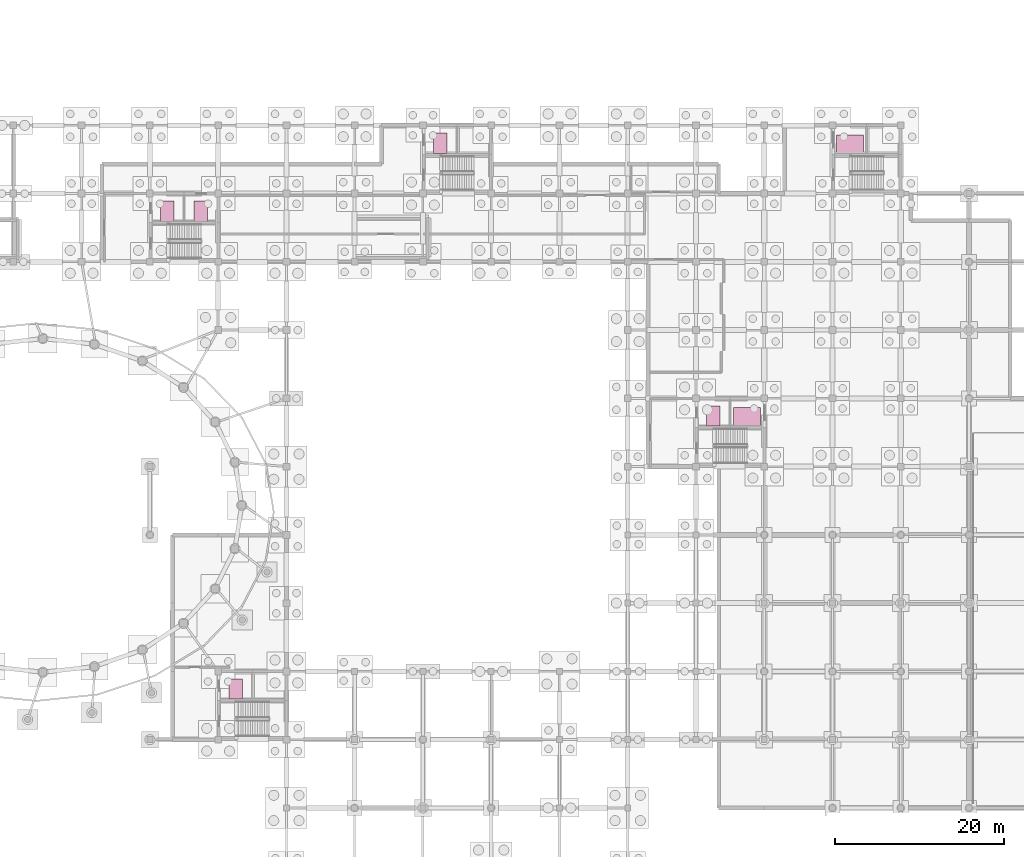
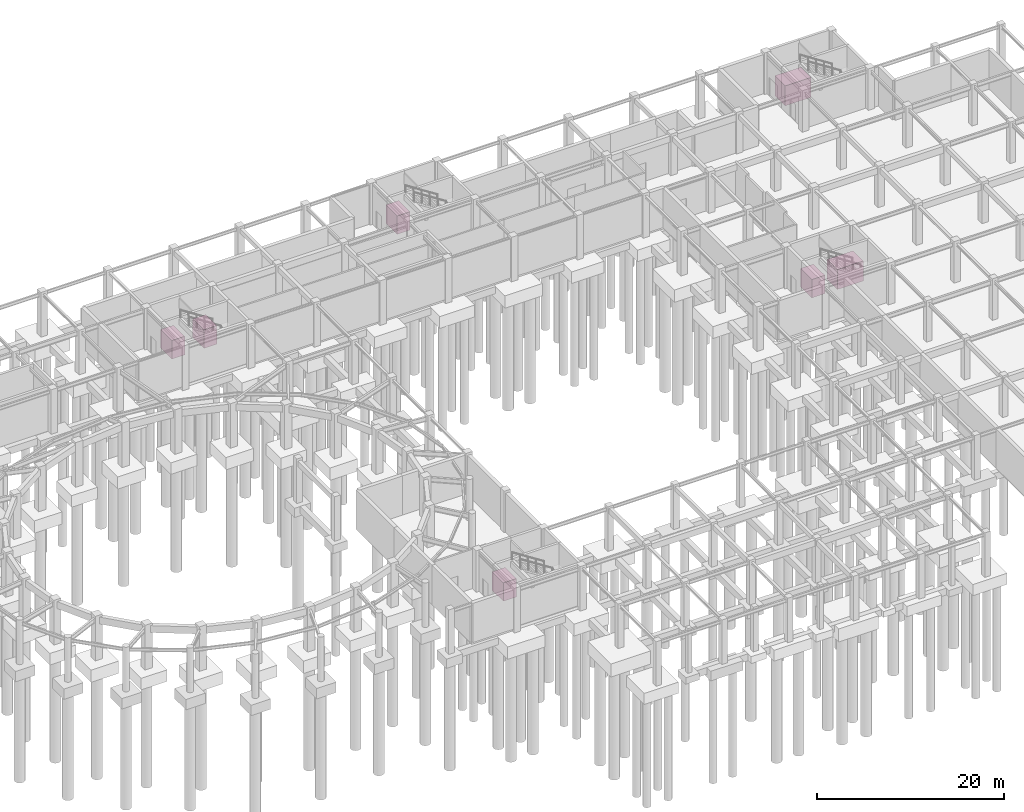
# One storey, part 26 of 26: 7 transport elements.
"""IFC4 building model written with IfcOpenShell, lengths in metres."""

from ifc_helpers import new_model, si_unit, direction, frame, origin, origin_2d, place, context, subcontext, project, spatial, rectangle, extrude, material, type_object, element, save


model = new_model("IFC4")

# Units and contexts
model_context = context("Model", 3, precision=1e-05, world=origin(), true_north=direction((0.0, 1.0)))
body_context = subcontext(model_context, "Body", "Model", "MODEL_VIEW")
ifc_project = project(units=[si_unit("LENGTHUNIT", "METRE"), si_unit("AREAUNIT", "SQUARE_METRE"), si_unit("VOLUMEUNIT", "CUBIC_METRE"), si_unit("PLANEANGLEUNIT", "RADIAN"), si_unit("MASSUNIT", "GRAM", prefix="KILO")], contexts=[model_context])

# Site, building, storey
site_placement = place(None, origin())
site = spatial("IfcSite", under=ifc_project, at=site_placement, CompositionType="ELEMENT")
building_placement = place(site_placement, origin())
building = spatial("IfcBuilding", under=site, at=building_placement, Name="Parian Resonance Hall", CompositionType="ELEMENT")
storey_placement = place(building_placement, frame((0.0, 0.0, -5.39990234375)))
storey = spatial("IfcBuildingStorey", under=building, at=storey_placement, Name="B1", CompositionType="ELEMENT", Elevation=-5.39990234375)

# Transport elements
ifc_material_1 = material(Name="Stainless steel and bronze elevator cab", Category="steel")
transport_element_type_1 = type_object("IfcTransportElementType", Name="LIFT-FF-1600x2400", PredefinedType="ELEVATOR", material=ifc_material_1)
for number, where, z_axis, x_axis, name in (
    (1, (58.77001953125, 78.905029296875, 0.0), (0.0, 0.0, 1.0), (1.0, 0.0, 0.0), "Firefighting emergency lift LF-01"),
    (2, (123.570068359375, 54.60498046875, 0.0), (0.0, 0.0, 1.0), (1.0, 0.0, 0.0), "Firefighting emergency lift LF-02"),
):
    element("IfcTransportElement", number, at=place(storey_placement, frame(where, z_axis=z_axis, x_axis=x_axis)), inside=storey, type_object=transport_element_type_1, Name=name, PredefinedType="ELEVATOR", context=body_context, shape_type="SweptSolid", body=[
        extrude(rectangle(XDim=1.60009765625, YDim=2.39990234375, at=origin_2d()), origin(), (0.0, 0.0, 1.0), 2.39990234375),
    ])
ifc_material_2 = material(Name="Stainless steel and bronze elevator cab", Category="steel")
transport_element_type_2 = type_object("IfcTransportElementType", Name="LIFT-GDS-2200x3200", PredefinedType="ELEVATOR", material=ifc_material_2)
for number, where, z_axis, x_axis, name in (
    (3, (127.530029296875, 54.5048828125, -0.000244140625), (0.0, 0.0, 1.0), (1.0, 0.0, 0.0), "Stage and instrument goods lift LF-07"),
    (4, (139.77001953125, 86.864990234375, -0.000244140625), (0.0, 0.0, 1.0), (1.0, 0.0, 0.0), "Stage and instrument goods lift LF-08"),
):
    element("IfcTransportElement", number, at=place(storey_placement, frame(where, z_axis=z_axis, x_axis=x_axis)), inside=storey, type_object=transport_element_type_2, Name=name, PredefinedType="ELEVATOR", context=body_context, shape_type="SweptSolid", body=[
        extrude(rectangle(XDim=3.199951171875, YDim=2.199951171875, at=origin_2d()), origin(), (0.0, 0.0, 1.0), 2.60009765625),
    ])
ifc_material_3 = material(Name="Stainless steel and bronze elevator cab", Category="steel")
transport_element_type_3 = type_object("IfcTransportElementType", Name="LIFT-PAX-1600x2400", PredefinedType="ELEVATOR", material=ifc_material_3)
for number, where, z_axis, x_axis, name in (
    (5, (62.72998046875, 78.905029296875, 0.0), (0.0, 0.0, 1.0), (1.0, 0.0, 0.0), "Passenger lift LF-03"),
    (6, (66.8701171875, 22.205078125, 0.0), (0.0, 0.0, 1.0), (1.0, 0.0, 0.0), "Passenger lift LF-04"),
    (7, (91.169921875, 86.965087890625, 0.0), (0.0, 0.0, 1.0), (1.0, 0.0, 0.0), "Passenger lift LF-06"),
):
    element("IfcTransportElement", number, at=place(storey_placement, frame(where, z_axis=z_axis, x_axis=x_axis)), inside=storey, type_object=transport_element_type_3, Name=name, PredefinedType="ELEVATOR", context=body_context, shape_type="SweptSolid", body=[
        extrude(rectangle(XDim=1.60009765625, YDim=2.39990234375, at=origin_2d()), origin(), (0.0, 0.0, 1.0), 2.39990234375),
    ])

save(model, "model.ifc")
